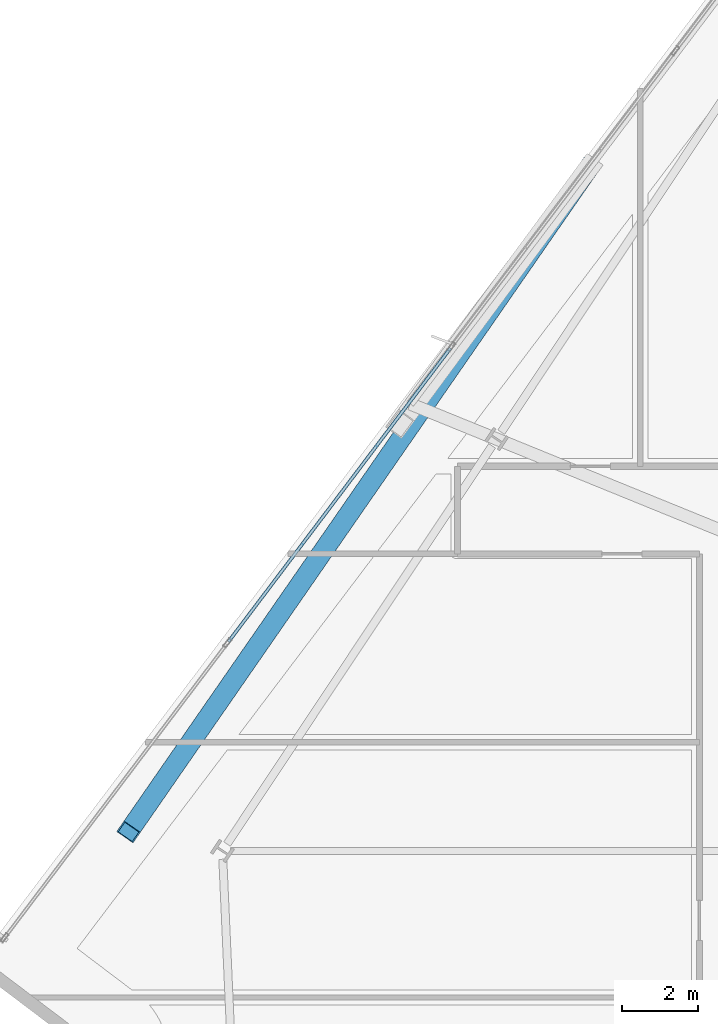
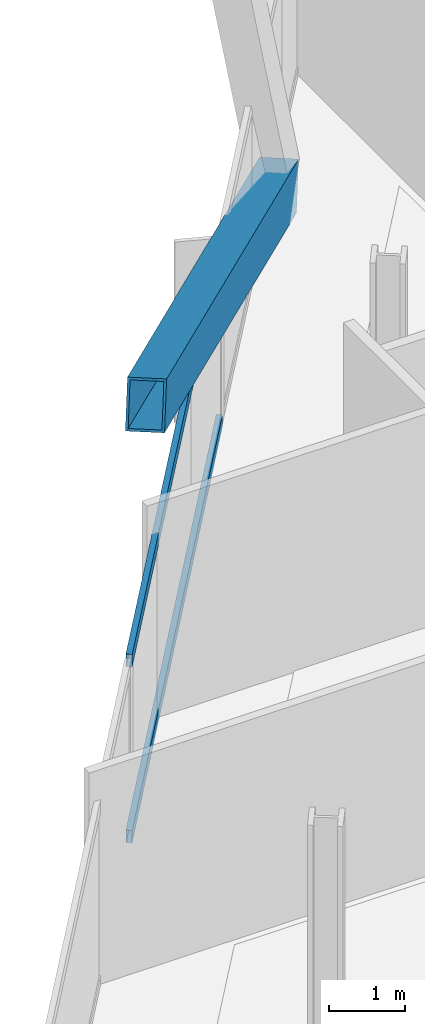
# One storey, part 17 of 34: 3 members, 1 element without a shape of its own.
"""IFC4 building model written with IfcOpenShell, lengths in metres."""

from ifc_helpers import new_model, si_unit, direction, frame, origin, origin_2d, place, context, subcontext, project, spatial, hollow_rectangle, extrude, material, material_profile, profile_set, type_object, element, aggregate, save


model = new_model("IFC4")

# Units and contexts
model_context = context("Model", 3, precision=1e-05, world=origin(), true_north=direction((0.0, 1.0)))
body_context = subcontext(model_context, "Body", "Model", "MODEL_VIEW")
ifc_project = project(units=[si_unit("LENGTHUNIT", "METRE"), si_unit("AREAUNIT", "SQUARE_METRE"), si_unit("VOLUMEUNIT", "CUBIC_METRE"), si_unit("PLANEANGLEUNIT", "RADIAN"), si_unit("MASSUNIT", "GRAM", prefix="KILO")], contexts=[model_context])

# Site, building, storey
site_placement = place(None, origin())
site = spatial("IfcSite", under=ifc_project, at=site_placement, CompositionType="ELEMENT")
building_placement = place(site_placement, origin())
building = spatial("IfcBuilding", under=site, at=building_placement, Name="Haldenkirk Collegiate Tower", CompositionType="ELEMENT")
storey_placement = place(building_placement, frame((0.0, 0.0, 205.949951171875)))
storey = spatial("IfcBuildingStorey", under=building, at=storey_placement, Name="L51", CompositionType="ELEMENT", Elevation=205.949951171875)

# Curtain wall, members
ifc_material_1 = material(Name="Anodised architectural bronze aluminium", Category="aluminium")
curtain_wall_type = type_object("IfcCurtainWallType", Name="CW-SYS1B-CONVEX-HI", PredefinedType="USERDEFINED", material=ifc_material_1)
curtain_wall_placement = place(storey_placement, origin())
curtain_wall = element("IfcCurtainWall", 1, at=curtain_wall_placement, inside=storey, type_object=curtain_wall_type, Name="L51 Upper tower high-wind convex bronze unitised curtain wall", ObjectType="UNITISED CURTAIN WALL", PredefinedType="USERDEFINED")
ifc_material_profile_1 = material_profile(ifc_material_1, hollow_rectangle(XDim=0.0849609375, YDim=0.199951171875, WallThickness=0.0048828125, at=origin_2d()), Name="CW-TRN-1B")
ifc_profile_set_1 = profile_set([ifc_material_profile_1], Name="Anodised architectural bronze aluminium")
member_type_1 = type_object("IfcMemberType", Name="CW-TRN-1B", PredefinedType="USERDEFINED", material=ifc_profile_set_1)
member_1_placement = place(storey_placement, frame((12.182861328125, 31.841552734375, 0.04248046875), z_axis=(0.603192160411, 0.797595898697, 0.0), x_axis=(-0.797595898697, 0.603192160411, 0.0)))
member_1 = element("IfcMember", 2, at=member_1_placement, type_object=member_type_1, Name="CW-1B transom 2.1", ObjectType="TRANSOM", PredefinedType="USERDEFINED", context=body_context, shape_type="SweptSolid", body=[
    extrude(hollow_rectangle(XDim=0.0849609375, YDim=0.199951171875, WallThickness=0.0048828125, at=origin_2d()), origin(), (0.0, 0.0, 1.0), 9.6650390625),
])
member_2_placement = place(storey_placement, frame((12.182861328125, 31.841552734375, 2.885498046875), z_axis=(0.603192160411, 0.797595898697, 0.0), x_axis=(-0.797595898697, 0.603192160411, 0.0)))
member_2 = element("IfcMember", 3, at=member_2_placement, type_object=member_type_1, Name="CW-1B transom 2.2", ObjectType="TRANSOM", PredefinedType="USERDEFINED", context=body_context, shape_type="SweptSolid", body=[
    extrude(hollow_rectangle(XDim=0.0849609375, YDim=0.199951171875, WallThickness=0.0048828125, at=origin_2d()), origin(), (0.0, 0.0, 1.0), 9.6650390625),
])
aggregate(curtain_wall, [member_1, member_2])

# Member
ifc_material_2 = material(Name="Steel ASTM A572 Grade 50", Category="steel")
ifc_material_profile_2 = material_profile(ifc_material_2, hollow_rectangle(XDim=0.52001953125, YDim=0.719970703125, WallThickness=0.035888671875, at=origin_2d()), Name="BOX720X520X36")
ifc_profile_set_2 = profile_set([ifc_material_profile_2], Name="Steel ASTM A572 Grade 50")
member_type_2 = type_object("IfcMemberType", Name="MBR-MEGABRACE-BOX720X520X36", PredefinedType="BRACE", material=ifc_profile_set_2)
member_3_placement = place(storey_placement, frame((21.641845703125, 44.282470703125, -0.2900390625), z_axis=(-0.503218033527, -0.726129398105, 0.468516496978), x_axis=(0.821920307306, -0.569602500378, 0.0)))
element("IfcMember", 4, at=member_3_placement, inside=storey, type_object=member_type_2, Name="Perimeter Mega Brace Z4 L51-L53 NR", PredefinedType="BRACE", context=body_context, shape_type="SweptSolid", body=[
    extrude(hollow_rectangle(XDim=0.52001953125, YDim=0.719970703125, WallThickness=0.035888671875, at=origin_2d()), origin(), (0.0, 0.0, 1.0), 24.011962890625),
])

save(model, "model.ifc")
